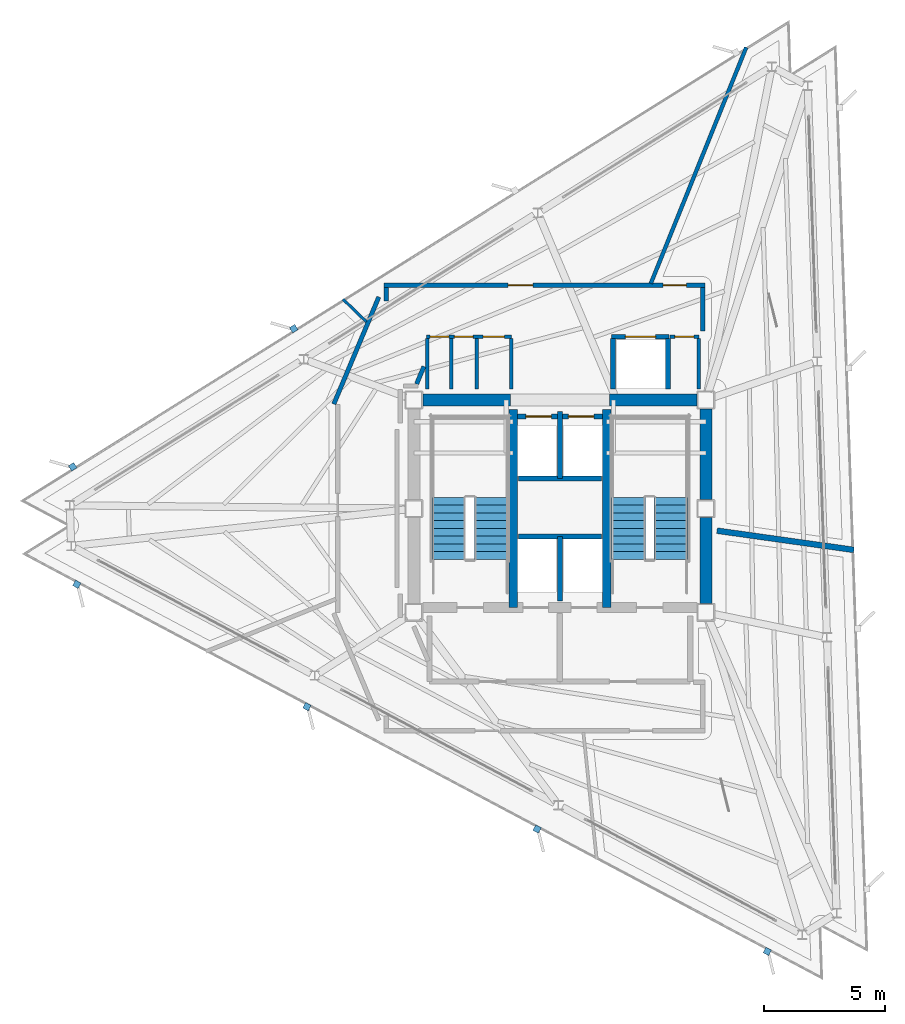
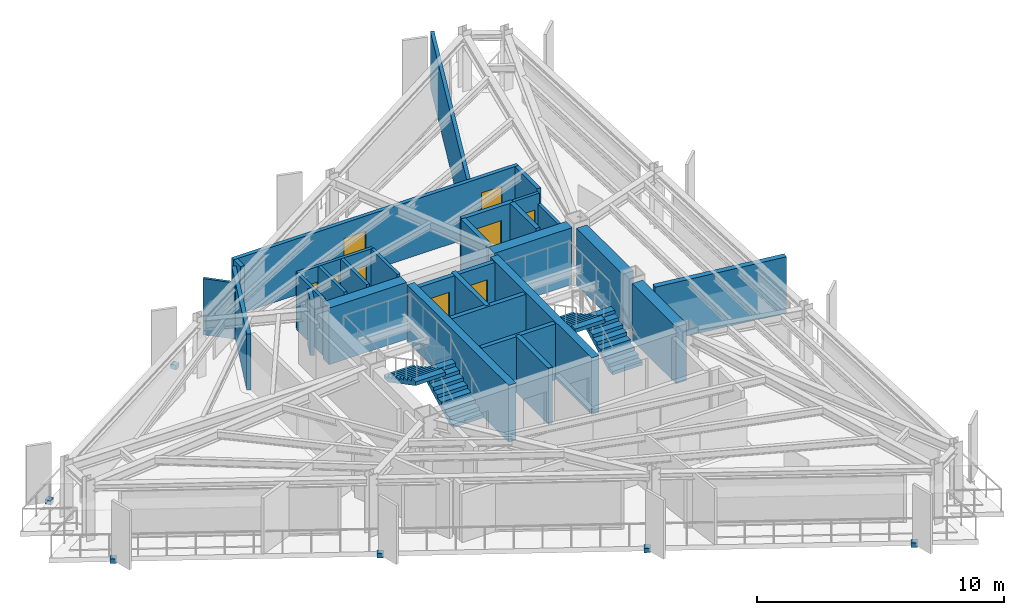
# One storey, part 9 of 13: 29 walls, 9 doors, 6 discrete accessories, 4 stair flights, 9 openings, 2 elements without a shape of their own.
"""IFC4 building model written with IfcOpenShell, lengths in metres."""

from ifc_helpers import new_model, si_unit, direction, frame, frame_2d, origin, origin_2d, place, context, subcontext, project, spatial, polyline, rectangle, outline, extrude, material, layer, layer_set, type_object, element, fill, aggregate, save


model = new_model("IFC4")

# Units and contexts
model_context = context("Model", 3, precision=1e-05, world=origin(), true_north=direction((0.0, 1.0)))
body_context = subcontext(model_context, "Body", "Model", "MODEL_VIEW")
ifc_project = project(units=[si_unit("LENGTHUNIT", "METRE"), si_unit("AREAUNIT", "SQUARE_METRE"), si_unit("VOLUMEUNIT", "CUBIC_METRE"), si_unit("PLANEANGLEUNIT", "RADIAN"), si_unit("MASSUNIT", "GRAM", prefix="KILO")], contexts=[model_context])

# Site, building, storey
site_placement = place(None, origin())
site = spatial("IfcSite", under=ifc_project, at=site_placement, CompositionType="ELEMENT")
building_placement = place(site_placement, origin())
building = spatial("IfcBuilding", under=site, at=building_placement, Name="Rocaltana Carrier Exchange", CompositionType="ELEMENT")
storey_placement = place(building_placement, frame((0.0, 0.0, 202.719970703125)))
storey = spatial("IfcBuildingStorey", under=building, at=storey_placement, Name="L64", CompositionType="ELEMENT", Elevation=202.719970703125)

# Walls
ifc_material_1 = material(Name="Double Acoustic Gypsum Partition", Category="gypsum")
ifc_layer_1 = layer(ifc_material_1, 0.159912109375)
ifc_layer_set_1 = layer_set([ifc_layer_1], Name="Double Acoustic Gypsum Partition")
wall_type_1 = type_object("IfcWallType", Name="Acoustic Studio Partition 160 EI60", PredefinedType="PARTITIONING", material=ifc_layer_set_1)
wall_1_placement = place(storey_placement, frame((3.76953125, 9.330078125, 0.0), z_axis=(0.0, 0.0, 1.0), x_axis=(0.374613070454, 0.927181237647, 0.0)))
element("IfcWall", 1, at=wall_1_placement, inside=storey, type_object=wall_type_1, Name="L64 Suite Divider Wall D4", PredefinedType="PARTITIONING", context=body_context, shape_type="SweptSolid", body=[
    extrude(rectangle(XDim=10.54736328125, YDim=0.159912109375, at=frame_2d((5.273681640625, 0.0))), origin(), (0.0, 0.0, 1.0), 2.77294921875),
])
ifc_material_2 = material(Name="Concrete C50/60", Category="concrete")
ifc_layer_2 = layer(ifc_material_2, 0.35009765625)
ifc_layer_set_2 = layer_set([ifc_layer_2], Name="Concrete C50/60")
wall_type_2 = type_object("IfcWallType", Name="Core Internal Shear Wall 350", PredefinedType="SHEAR", material=ifc_layer_set_2)
for number, where, z_axis, x_axis, name in (
    (2, (-1.93994140625, -4.10009765625, 0.0), (0.0, 0.0, 1.0), (0.0, 1.0, 0.0), "L64 Core Shear Wall CW-STW"),
    (3, (1.93994140625, -4.10009765625, 0.0), (0.0, 0.0, 1.0), (0.0, 1.0, 0.0), "L64 Core Shear Wall CW-STE"),
):
    element("IfcWall", number, at=place(storey_placement, frame(where, z_axis=z_axis, x_axis=x_axis)), inside=storey, type_object=wall_type_2, Name=name, PredefinedType="SHEAR", context=body_context, shape_type="SweptSolid", body=[
        extrude(rectangle(XDim=8.2001953125, YDim=0.35009765625, at=frame_2d((4.10009765625, 0.0))), origin(), (0.0, 0.0, 1.0), 2.798095703125),
    ])
ifc_material_3 = material(Name="Concrete C50/60", Category="concrete")
ifc_layer_3 = layer(ifc_material_3, 0.5)
ifc_layer_set_3 = layer_set([ifc_layer_3], Name="Concrete C50/60")
wall_type_3 = type_object("IfcWallType", Name="Core Shear Wall 500", PredefinedType="SHEAR", material=ifc_layer_set_3)
wall_2_placement = place(storey_placement, frame((6.050048828125, 0.375, 0.0), z_axis=(0.0, 0.0, 1.0), x_axis=(0.0, 1.0, 0.0)))
element("IfcWall", 4, at=wall_2_placement, inside=storey, type_object=wall_type_3, Name="L64 Core Shear Wall CW-EN", PredefinedType="SHEAR", context=body_context, shape_type="SweptSolid", body=[
    extrude(rectangle(XDim=3.75, YDim=0.5, at=frame_2d((1.875, 0.0))), origin(), (0.0, 0.0, 1.0), 2.798095703125),
])
wall_3_placement = place(storey_placement, frame((6.050048828125, -3.925048828125, 0.0), z_axis=(0.0, 0.0, 1.0), x_axis=(0.0, 1.0, 0.0)))
element("IfcWall", 5, at=wall_3_placement, inside=storey, type_object=wall_type_3, Name="L64 Core Shear Wall CW-ES", PredefinedType="SHEAR", context=body_context, shape_type="SweptSolid", body=[
    extrude(rectangle(XDim=3.550048828125, YDim=0.5, at=frame_2d((1.77490234375, 0.0))), origin(), (0.0, 0.0, 1.0), 2.798095703125),
])
for number, where, z_axis, x_axis, name in (
    (6, (-5.675048828125, 4.5, 0.0), (0.0, 0.0, 1.0), (1.0, 0.0, 0.0), "L64 Core Shear Wall CW-N1"),
    (7, (2.050048828125, 4.5, 0.0), (0.0, 0.0, 1.0), (1.0, 0.0, 0.0), "L64 Core Shear Wall CW-N2"),
):
    element("IfcWall", number, at=place(storey_placement, frame(where, z_axis=z_axis, x_axis=x_axis)), inside=storey, type_object=wall_type_3, Name=name, PredefinedType="SHEAR", context=body_context, shape_type="SweptSolid", body=[
        extrude(rectangle(XDim=3.625, YDim=0.5, at=frame_2d((1.8125, 0.0))), origin(), (0.0, 0.0, 1.0), 2.798095703125),
    ])
ifc_material_4 = material(Name="Gypsum & Steel Stud Partition", Category="steel")
ifc_layer_4 = layer(ifc_material_4, 0.179931640625)
ifc_layer_set_4 = layer_set([ifc_layer_4], Name="Gypsum & Steel Stud Partition")
wall_type_4 = type_object("IfcWallType", Name="Corridor Fire Partition 180 EI60", PredefinedType="PARTITIONING", material=ifc_layer_set_4)
wall_4_placement = place(storey_placement, frame((-9.36669921875, 4.331787109375, 0.0), z_axis=(0.0, 0.0, 1.0), x_axis=(0.387573945081, 0.921838617706, 0.0)))
element("IfcWall", 8, at=wall_4_placement, inside=storey, type_object=wall_type_4, Name="L64 Corridor Partition 3", PredefinedType="PARTITIONING", context=body_context, shape_type="SweptSolid", body=[
    extrude(rectangle(XDim=4.813232421875, YDim=0.179931640625, at=frame_2d((2.40673828125, 0.0))), origin(), (0.0, 0.0, 1.0), 2.77294921875),
])
wall_5_placement = place(storey_placement, frame((-7.199951171875, 8.6005859375, 0.0), z_axis=(0.0, 0.0, 1.0), x_axis=(0.0, 1.0, 0.0)))
element("IfcWall", 9, at=wall_5_placement, inside=storey, type_object=wall_type_4, Name="L64 Corridor Partition 4", PredefinedType="PARTITIONING", context=body_context, shape_type="SweptSolid", body=[
    extrude(rectangle(XDim=0.559326171875, YDim=0.179931640625, at=frame_2d((0.27978515625, 0.0))), origin(), (0.0, 0.0, 1.0), 2.77294921875),
])

# Wall, openings, doors
wall_6_placement = place(storey_placement, frame((-7.2900390625, 9.25, 0.0), z_axis=(0.0, 0.0, 1.0), x_axis=(1.0, 0.0, 0.0)))
wall_6 = element("IfcWall", 10, at=wall_6_placement, inside=storey, type_object=wall_type_4, Name="L64 Corridor Partition 5", PredefinedType="PARTITIONING", context=body_context, shape_type="SweptSolid", body=[
    extrude(rectangle(XDim=13.300048828125, YDim=0.179931640625, at=frame_2d((6.64990234375, 0.0))), origin(), (0.0, 0.0, 1.0), 2.77294921875),
])
opening_1_placement = place(wall_6_placement, frame((11.57275390625, 0.0, 0.0)))
opening_1 = element("IfcOpeningElement", 11, at=opening_1_placement, cuts=wall_6, Name="Opening D-RM098", PredefinedType="OPENING", context=body_context, shape_type="SweptSolid", body=[
    extrude(rectangle(XDim=0.9599609375, YDim=2.02001953125, at=frame_2d((0.47998046875, 1.010009765625))), frame((0.0, 0.099853515625, 0.0), z_axis=(0.0, -1.0, 0.0), x_axis=(1.0, 0.0, 0.0)), (0.0, 0.0, 1.0), 0.199951171875),
])
opening_2_placement = place(wall_6_placement, frame((5.149169921875, 0.0, 0.0)))
opening_2 = element("IfcOpeningElement", 12, at=opening_2_placement, cuts=wall_6, Name="Opening D-LB104", PredefinedType="OPENING", context=body_context, shape_type="SweptSolid", body=[
    extrude(rectangle(XDim=1.02001953125, YDim=2.02001953125, at=frame_2d((0.510009765625, 1.010009765625))), frame((0.0, 0.099853515625, 0.0), z_axis=(0.0, -1.0, 0.0), x_axis=(1.0, 0.0, 0.0)), (0.0, 0.0, 1.0), 0.199951171875),
])
ifc_material_5 = material(Name="Powder-Coated Aluminium 6063-T6", Category="aluminium")
door_type_1 = type_object("IfcDoorType", Name="Laboratory Acoustic Door 1020x2020", OperationType="NOTDEFINED", PredefinedType="DOOR", material=ifc_material_5)
door_1_placement = place(opening_2_placement, origin())
door_1 = element("IfcDoor", 13, at=door_1_placement, inside=storey, type_object=door_type_1, Name="L64 Optical Switching Laboratory Entrance Door", OperationType="SINGLE_SWING_RIGHT", OverallHeight=2.02001953125, OverallWidth=1.02001953125, PredefinedType="DOOR", context=body_context, shape_type="SweptSolid", body=[
    extrude(rectangle(XDim=1.02001953125, YDim=2.02001953125, at=frame_2d((0.510009765625, 1.010009765625))), frame((0.0, 0.02490234375, 0.0), z_axis=(0.0, -1.0, 0.0), x_axis=(1.0, 0.0, 0.0)), (0.0, 0.0, 1.0), 0.050048828125),
])
fill(opening_2, door_1)
ifc_material_6 = material(Name="Engineered Hardwood Timber", Category="wood")
door_type_2 = type_object("IfcDoorType", Name="Workspace Single Door 960x2020", OperationType="NOTDEFINED", PredefinedType="DOOR", material=ifc_material_6)
door_2_placement = place(opening_1_placement, origin())
door_2 = element("IfcDoor", 14, at=door_2_placement, inside=storey, type_object=door_type_2, Name="L64 Cloud Architecture Office Entrance Door", OperationType="SINGLE_SWING_LEFT", OverallHeight=2.02001953125, OverallWidth=0.9599609375, PredefinedType="DOOR", context=body_context, shape_type="SweptSolid", body=[
    extrude(rectangle(XDim=0.9599609375, YDim=2.02001953125, at=frame_2d((0.47998046875, 1.010009765625))), frame((0.0, 0.02490234375, 0.0), z_axis=(0.0, -1.0, 0.0), x_axis=(1.0, 0.0, 0.0)), (0.0, 0.0, 1.0), 0.050048828125),
])
fill(opening_1, door_2)

# Walls
wall_7_placement = place(storey_placement, frame((5.919921875, 9.159912109375, 0.0), z_axis=(0.0, 0.0, 1.0), x_axis=(0.0, -1.0, 0.0)))
element("IfcWall", 15, at=wall_7_placement, inside=storey, type_object=wall_type_4, Name="L64 Corridor Partition 6", PredefinedType="PARTITIONING", context=body_context, shape_type="SweptSolid", body=[
    extrude(rectangle(XDim=1.7998046875, YDim=0.179931640625, at=frame_2d((0.89990234375, 0.0))), origin(), (0.0, 0.0, 1.0), 2.77294921875),
])
wall_8_placement = place(storey_placement, frame((-5.632080078125, 5.88671875, 0.0), z_axis=(0.0, 0.0, 1.0), x_axis=(-0.387792833522, -0.921746558588, 0.0)))
element("IfcWall", 16, at=wall_8_placement, inside=storey, type_object=wall_type_4, Name="L64 Corridor Partition 8", PredefinedType="PARTITIONING", context=body_context, shape_type="SweptSolid", body=[
    extrude(rectangle(XDim=0.78515625, YDim=0.179931640625, at=frame_2d((0.392578125, 0.0))), origin(), (0.0, 0.0, 1.0), 2.77294921875),
])
ifc_material_7 = material(Name="Aluminium 6063-T6 & Acoustic Glass", Category="aluminium")
ifc_layer_5 = layer(ifc_material_7, 0.114990234375)
ifc_layer_set_5 = layer_set([ifc_layer_5], Name="Aluminium 6063-T6 & Acoustic Glass")
wall_type_5 = type_object("IfcWallType", Name="Demountable Glazed Lab Partition 115", PredefinedType="MOVABLE", material=ifc_layer_set_5)
wall_9_placement = place(storey_placement, frame((-8.01904296875, 7.743896484375, 0.0), z_axis=(0.0, 0.0, 1.0), x_axis=(-0.719319685721, 0.694679199151, 0.0)))
element("IfcWall", 17, at=wall_9_placement, inside=storey, type_object=wall_type_5, Name="L64 Suite Divider Wall D5", PredefinedType="MOVABLE", context=body_context, shape_type="SweptSolid", body=[
    extrude(rectangle(XDim=1.337646484375, YDim=0.114990234375, at=frame_2d((0.6689453125, 0.0))), origin(), (0.0, 0.0, 1.0), 2.77294921875),
])
ifc_material_8 = material(Name="Acoustic Calcium Silicate Partition", Category="gypsum")
ifc_layer_6 = layer(ifc_material_8, 0.239990234375)
ifc_layer_set_6 = layer_set([ifc_layer_6], Name="Acoustic Calcium Silicate Partition")
wall_type_6 = type_object("IfcWallType", Name="Heavy Lab Partition 240 EI90", PredefinedType="PARTITIONING", material=ifc_layer_set_6)
wall_10_placement = place(storey_placement, frame((6.510009765625, -0.914794921875, 0.0), z_axis=(0.0, 0.0, 1.0), x_axis=(0.990267505523, -0.139177108413, 0.0)))
element("IfcWall", 18, at=wall_10_placement, inside=storey, type_object=wall_type_6, Name="L64 Suite Divider Wall D3", PredefinedType="PARTITIONING", context=body_context, shape_type="SweptSolid", body=[
    extrude(rectangle(XDim=5.727294921875, YDim=0.239990234375, at=frame_2d((2.86376953125, 0.0))), origin(), (0.0, 0.0, 1.0), 2.77294921875),
])
ifc_material_9 = material(Name="Reinforced Concrete Block C35/45", Category="concrete")
ifc_layer_7 = layer(ifc_material_9, 0.199951171875)
ifc_layer_set_7 = layer_set([ifc_layer_7], Name="Reinforced Concrete Block C35/45")
wall_type_7 = type_object("IfcWallType", Name="Lift Hoistway Enclosure Wall 200 EI120", PredefinedType="PARTITIONING", material=ifc_layer_set_7)
wall_11_placement = place(storey_placement, frame((0.0, -3.820068359375, 0.0), z_axis=(0.0, 0.0, 1.0), x_axis=(0.0, 1.0, 0.0)))
element("IfcWall", 19, at=wall_11_placement, inside=storey, type_object=wall_type_7, Name="L64 FFL Shaft Divider", PredefinedType="PARTITIONING", context=body_context, shape_type="SweptSolid", body=[
    extrude(rectangle(XDim=2.670166015625, YDim=0.199951171875, at=frame_2d((1.3349609375, 0.0))), origin(), (0.0, 0.0, 1.0), 2.77294921875),
])
wall_12_placement = place(storey_placement, frame((-1.719970703125, -1.14990234375, 0.0), z_axis=(0.0, 0.0, 1.0), x_axis=(1.0, 0.0, 0.0)))
element("IfcWall", 20, at=wall_12_placement, inside=storey, type_object=wall_type_7, Name="L64 FFL Shaft Back Wall", PredefinedType="PARTITIONING", context=body_context, shape_type="SweptSolid", body=[
    extrude(rectangle(XDim=3.43994140625, YDim=0.199951171875, at=frame_2d((1.719970703125, 0.0))), origin(), (0.0, 0.0, 1.0), 2.77294921875),
])
wall_13_placement = place(storey_placement, frame((0.0, 1.25, 0.0), z_axis=(0.0, 0.0, 1.0), x_axis=(0.0, 1.0, 0.0)))
element("IfcWall", 21, at=wall_13_placement, inside=storey, type_object=wall_type_7, Name="L64 High-Rise Shaft Divider", PredefinedType="PARTITIONING", context=body_context, shape_type="SweptSolid", body=[
    extrude(rectangle(XDim=2.77001953125, YDim=0.199951171875, at=frame_2d((1.385009765625, 0.0))), origin(), (0.0, 0.0, 1.0), 2.77294921875),
])
wall_14_placement = place(storey_placement, frame((-1.719970703125, 1.25, 0.0), z_axis=(0.0, 0.0, 1.0), x_axis=(1.0, 0.0, 0.0)))
element("IfcWall", 22, at=wall_14_placement, inside=storey, type_object=wall_type_7, Name="L64 High-Rise Shaft Back Wall", PredefinedType="PARTITIONING", context=body_context, shape_type="SweptSolid", body=[
    extrude(rectangle(XDim=3.43994140625, YDim=0.199951171875, at=frame_2d((1.719970703125, 0.0))), origin(), (0.0, 0.0, 1.0), 2.77294921875),
])

# Wall, openings, doors
wall_15_placement = place(storey_placement, frame((-1.760009765625, 3.820068359375, 0.0), z_axis=(0.0, 0.0, 1.0), x_axis=(1.0, 0.0, 0.0)))
wall_15 = element("IfcWall", 23, at=wall_15_placement, inside=storey, type_object=wall_type_7, Name="L64 High-Rise Lift Front Wall", PredefinedType="PARTITIONING", context=body_context, shape_type="SweptSolid", body=[
    extrude(rectangle(XDim=3.52001953125, YDim=0.199951171875, at=frame_2d((1.760009765625, 0.0))), origin(), (0.0, 0.0, 1.0), 2.77294921875),
])
opening_3_placement = place(wall_15_placement, frame((0.35009765625, 0.0, 0.0)))
opening_3 = element("IfcOpeningElement", 24, at=opening_3_placement, cuts=wall_15, Name="Opening LD-110", PredefinedType="OPENING", context=body_context, shape_type="SweptSolid", body=[
    extrude(rectangle(XDim=1.06005859375, YDim=2.0400390625, at=frame_2d((0.530029296875, 1.02001953125))), frame((0.0, 0.10986328125, 0.0), z_axis=(0.0, -1.0, 0.0), x_axis=(1.0, 0.0, 0.0)), (0.0, 0.0, 1.0), 0.219970703125),
])
opening_4_placement = place(wall_15_placement, frame((2.110107421875, 0.0, 0.0)))
opening_4 = element("IfcOpeningElement", 25, at=opening_4_placement, cuts=wall_15, Name="Opening LD-110", PredefinedType="OPENING", context=body_context, shape_type="SweptSolid", body=[
    extrude(rectangle(XDim=1.06005859375, YDim=2.0400390625, at=frame_2d((0.530029296875, 1.02001953125))), frame((0.0, 0.10986328125, 0.0), z_axis=(0.0, -1.0, 0.0), x_axis=(1.0, 0.0, 0.0)), (0.0, 0.0, 1.0), 0.219970703125),
])
ifc_material_10 = material(Name="Brushed Stainless Sliding Door Leaf", Category="steel")
door_type_3 = type_object("IfcDoorType", Name="Lift Landing Sliding Door 1060x2040", OperationType="NOTDEFINED", PredefinedType="DOOR", material=ifc_material_10)
door_3_placement = place(opening_3_placement, origin())
door_3 = element("IfcDoor", 26, at=door_3_placement, inside=storey, type_object=door_type_3, Name="L64 High-Rise Lift PLH1 Landing Door", OperationType="SLIDING_TO_LEFT", OverallHeight=2.0400390625, OverallWidth=1.06005859375, PredefinedType="DOOR", context=body_context, shape_type="SweptSolid", body=[
    extrude(rectangle(XDim=1.06005859375, YDim=2.0400390625, at=frame_2d((0.530029296875, 1.02001953125))), frame((0.0, 0.02490234375, 0.0), z_axis=(0.0, -1.0, 0.0), x_axis=(1.0, 0.0, 0.0)), (0.0, 0.0, 1.0), 0.050048828125),
])
fill(opening_3, door_3)
door_4_placement = place(opening_4_placement, origin())
door_4 = element("IfcDoor", 27, at=door_4_placement, inside=storey, type_object=door_type_3, Name="L64 High-Rise Lift PLH2 Landing Door", OperationType="SLIDING_TO_RIGHT", OverallHeight=2.0400390625, OverallWidth=1.06005859375, PredefinedType="DOOR", context=body_context, shape_type="SweptSolid", body=[
    extrude(rectangle(XDim=1.06005859375, YDim=2.0400390625, at=frame_2d((0.530029296875, 1.02001953125))), frame((0.0, 0.02490234375, 0.0), z_axis=(0.0, -1.0, 0.0), x_axis=(1.0, 0.0, 0.0)), (0.0, 0.0, 1.0), 0.050048828125),
])
fill(opening_4, door_4)

# Walls
for number, where, z_axis, x_axis, name in (
    (28, (2.199951171875, 4.949951171875, 0.0), (0.0, 0.0, 1.0), (0.0, 1.0, 0.0), "L64 Goods Lift West Wall"),
    (29, (4.47998046875, 4.949951171875, 0.0), (0.0, 0.0, 1.0), (0.0, 1.0, 0.0), "L64 Goods Lift East Wall"),
):
    element("IfcWall", number, at=place(storey_placement, frame(where, z_axis=z_axis, x_axis=x_axis)), inside=storey, type_object=wall_type_7, Name=name, PredefinedType="PARTITIONING", context=body_context, shape_type="SweptSolid", body=[
        extrude(rectangle(XDim=2.10009765625, YDim=0.199951171875, at=frame_2d((1.050048828125, 0.0))), origin(), (0.0, 0.0, 1.0), 2.77294921875),
    ])

# Wall, opening, door
wall_16_placement = place(storey_placement, frame((2.14990234375, 7.1201171875, 0.0), z_axis=(0.0, 0.0, 1.0), x_axis=(1.0, 0.0, 0.0)))
wall_16 = element("IfcWall", 30, at=wall_16_placement, inside=storey, type_object=wall_type_7, Name="L64 Goods Lift Front Wall", PredefinedType="PARTITIONING", context=body_context, shape_type="SweptSolid", body=[
    extrude(rectangle(XDim=2.380126953125, YDim=0.199951171875, at=frame_2d((1.18994140625, 0.0))), origin(), (0.0, 0.0, 1.0), 2.77294921875),
])
opening_5_placement = place(wall_16_placement, frame((0.56005859375, 0.0, 0.0)))
opening_5 = element("IfcOpeningElement", 31, at=opening_5_placement, cuts=wall_16, Name="Opening LD-130", PredefinedType="OPENING", context=body_context, shape_type="SweptSolid", body=[
    extrude(rectangle(XDim=1.260009765625, YDim=2.06005859375, at=frame_2d((0.6298828125, 1.030029296875))), frame((0.0, 0.10986328125, 0.0), z_axis=(0.0, -1.0, 0.0), x_axis=(1.0, 0.0, 0.0)), (0.0, 0.0, 1.0), 0.219970703125),
])
ifc_material_11 = material(Name="Brushed Stainless Sliding Door Leaf", Category="steel")
door_type_4 = type_object("IfcDoorType", Name="Goods Lift Landing Sliding Door 1260x2060", OperationType="NOTDEFINED", PredefinedType="DOOR", material=ifc_material_11)
door_5_placement = place(opening_5_placement, origin())
door_5 = element("IfcDoor", 32, at=door_5_placement, inside=storey, type_object=door_type_4, Name="L64 Goods Lift GL-1 Landing Door", OperationType="SLIDING_TO_LEFT", OverallHeight=2.06005859375, OverallWidth=1.260009765625, PredefinedType="DOOR", context=body_context, shape_type="SweptSolid", body=[
    extrude(rectangle(XDim=1.260009765625, YDim=2.06005859375, at=frame_2d((0.6298828125, 1.030029296875))), frame((0.0, 0.02490234375, 0.0), z_axis=(0.0, -1.0, 0.0), x_axis=(1.0, 0.0, 0.0)), (0.0, 0.0, 1.0), 0.050048828125),
])
fill(opening_5, door_5)

# Walls
ifc_material_12 = material(Name="Moisture-Resistant Masonry C30/37", Category="masonry")
ifc_layer_8 = layer(ifc_material_12, 0.139892578125)
ifc_layer_set_8 = layer_set([ifc_layer_8], Name="Moisture-Resistant Masonry C30/37")
wall_type_8 = type_object("IfcWallType", Name="Wet-Area Sanitary Partition 140", PredefinedType="PARTITIONING", material=ifc_layer_set_8)
for number, where, z_axis, x_axis, name in (
    (33, (-5.5, 4.949951171875, 0.0), (0.0, 0.0, 1.0), (0.0, 1.0, 0.0), "L64 Sanitary West Wall"),
    (34, (-4.5, 4.949951171875, 0.0), (0.0, 0.0, 1.0), (0.0, 1.0, 0.0), "L64 Sanitary Divider 1"),
    (35, (-3.449951171875, 4.949951171875, 0.0), (0.0, 0.0, 1.0), (0.0, 1.0, 0.0), "L64 Sanitary Divider 2"),
    (36, (-2.02001953125, 4.949951171875, 0.0), (0.0, 0.0, 1.0), (0.0, 1.0, 0.0), "L64 Sanitary East Wall"),
):
    element("IfcWall", number, at=place(storey_placement, frame(where, z_axis=z_axis, x_axis=x_axis)), inside=storey, type_object=wall_type_8, Name=name, PredefinedType="PARTITIONING", context=body_context, shape_type="SweptSolid", body=[
        extrude(rectangle(XDim=2.10009765625, YDim=0.139892578125, at=frame_2d((1.050048828125, 0.0))), origin(), (0.0, 0.0, 1.0), 2.77294921875),
    ])

# Wall, openings, doors
wall_17_placement = place(storey_placement, frame((-5.52001953125, 7.1201171875, 0.0), z_axis=(0.0, 0.0, 1.0), x_axis=(1.0, 0.0, 0.0)))
wall_17 = element("IfcWall", 37, at=wall_17_placement, inside=storey, type_object=wall_type_8, Name="L64 Sanitary North Wall", PredefinedType="PARTITIONING", context=body_context, shape_type="SweptSolid", body=[
    extrude(rectangle(XDim=3.52001953125, YDim=0.139892578125, at=frame_2d((1.760009765625, 0.0))), origin(), (0.0, 0.0, 1.0), 2.77294921875),
])
opening_6_placement = place(wall_17_placement, frame((0.139892578125, 0.0, 0.0)))
opening_6 = element("IfcOpeningElement", 38, at=opening_6_placement, cuts=wall_17, Name="Opening D-RS082", PredefinedType="OPENING", context=body_context, shape_type="SweptSolid", body=[
    extrude(rectangle(XDim=0.780029296875, YDim=2.010009765625, at=frame_2d((0.39013671875, 1.0048828125))), frame((0.0, 0.079833984375, 0.0), z_axis=(0.0, -1.0, 0.0), x_axis=(1.0, 0.0, 0.0)), (0.0, 0.0, 1.0), 0.159912109375),
])
opening_7_placement = place(wall_17_placement, frame((1.14990234375, 0.0, 0.0)))
opening_7 = element("IfcOpeningElement", 39, at=opening_7_placement, cuts=wall_17, Name="Opening D-RS082", PredefinedType="OPENING", context=body_context, shape_type="SweptSolid", body=[
    extrude(rectangle(XDim=0.780029296875, YDim=2.010009765625, at=frame_2d((0.39013671875, 1.0048828125))), frame((0.0, 0.079833984375, 0.0), z_axis=(0.0, -1.0, 0.0), x_axis=(1.0, 0.0, 0.0)), (0.0, 0.0, 1.0), 0.159912109375),
])
opening_8_placement = place(wall_17_placement, frame((2.340087890625, 0.0, 0.0)))
opening_8 = element("IfcOpeningElement", 40, at=opening_8_placement, cuts=wall_17, Name="Opening D-WC090", PredefinedType="OPENING", context=body_context, shape_type="SweptSolid", body=[
    extrude(rectangle(XDim=0.8798828125, YDim=2.02001953125, at=frame_2d((0.43994140625, 1.010009765625))), frame((0.0, 0.079833984375, 0.0), z_axis=(0.0, -1.0, 0.0), x_axis=(1.0, 0.0, 0.0)), (0.0, 0.0, 1.0), 0.159912109375),
])
ifc_material_13 = material(Name="High-Pressure Laminate Timber", Category="wood")
door_type_5 = type_object("IfcDoorType", Name="Restroom & Accessible WC Door 880x2020", OperationType="NOTDEFINED", PredefinedType="DOOR", material=ifc_material_13)
door_6_placement = place(opening_8_placement, origin())
door_6 = element("IfcDoor", 41, at=door_6_placement, inside=storey, type_object=door_type_5, Name="L64 Accessible Toilet Door", OperationType="SINGLE_SWING_LEFT", OverallHeight=2.02001953125, OverallWidth=0.8798828125, PredefinedType="DOOR", context=body_context, shape_type="SweptSolid", body=[
    extrude(rectangle(XDim=0.8798828125, YDim=2.02001953125, at=frame_2d((0.43994140625, 1.010009765625))), frame((0.0, 0.02490234375, 0.0), z_axis=(0.0, -1.0, 0.0), x_axis=(1.0, 0.0, 0.0)), (0.0, 0.0, 1.0), 0.050048828125),
])
fill(opening_8, door_6)
ifc_material_14 = material(Name="Hollow Metal Access Door Leaf", Category="steel")
door_type_6 = type_object("IfcDoorType", Name="Riser & Service Closet Door 780x2010", OperationType="NOTDEFINED", PredefinedType="DOOR", material=ifc_material_14)
door_7_placement = place(opening_6_placement, origin())
door_7 = element("IfcDoor", 42, at=door_7_placement, inside=storey, type_object=door_type_6, Name="L64 Cleaner Store Door", OperationType="SINGLE_SWING_LEFT", OverallHeight=2.010009765625, OverallWidth=0.780029296875, PredefinedType="DOOR", context=body_context, shape_type="SweptSolid", body=[
    extrude(rectangle(XDim=0.780029296875, YDim=2.010009765625, at=frame_2d((0.39013671875, 1.0048828125))), frame((0.0, 0.02490234375, 0.0), z_axis=(0.0, -1.0, 0.0), x_axis=(1.0, 0.0, 0.0)), (0.0, 0.0, 1.0), 0.050048828125),
])
fill(opening_6, door_7)
door_8_placement = place(opening_7_placement, origin())
door_8 = element("IfcDoor", 43, at=door_8_placement, inside=storey, type_object=door_type_6, Name="L64 Staff Restroom Door", OperationType="SINGLE_SWING_RIGHT", OverallHeight=2.010009765625, OverallWidth=0.780029296875, PredefinedType="DOOR", context=body_context, shape_type="SweptSolid", body=[
    extrude(rectangle(XDim=0.780029296875, YDim=2.010009765625, at=frame_2d((0.39013671875, 1.0048828125))), frame((0.0, 0.02490234375, 0.0), z_axis=(0.0, -1.0, 0.0), x_axis=(1.0, 0.0, 0.0)), (0.0, 0.0, 1.0), 0.050048828125),
])
fill(opening_7, door_8)

# Wall
wall_18_placement = place(storey_placement, frame((5.760009765625, 4.949951171875, 0.0), z_axis=(0.0, 0.0, 1.0), x_axis=(0.0, 1.0, 0.0)))
element("IfcWall", 44, at=wall_18_placement, inside=storey, type_object=wall_type_8, Name="L64 Riser East Wall", PredefinedType="PARTITIONING", context=body_context, shape_type="SweptSolid", body=[
    extrude(rectangle(XDim=2.10009765625, YDim=0.139892578125, at=frame_2d((1.050048828125, 0.0))), origin(), (0.0, 0.0, 1.0), 2.2529296875),
])

# Wall, opening, door
wall_19_placement = place(storey_placement, frame((4.56005859375, 7.1201171875, 0.0), z_axis=(0.0, 0.0, 1.0), x_axis=(1.0, 0.0, 0.0)))
wall_19 = element("IfcWall", 45, at=wall_19_placement, inside=storey, type_object=wall_type_8, Name="L64 Riser North Wall", PredefinedType="PARTITIONING", context=body_context, shape_type="SweptSolid", body=[
    extrude(rectangle(XDim=1.199951171875, YDim=0.139892578125, at=frame_2d((0.60009765625, 0.0))), origin(), (0.0, 0.0, 1.0), 2.77294921875),
])
opening_9_placement = place(wall_19_placement, frame((0.2099609375, 0.0, 0.0)))
opening_9 = element("IfcOpeningElement", 46, at=opening_9_placement, cuts=wall_19, Name="Opening D-RS082", PredefinedType="OPENING", context=body_context, shape_type="SweptSolid", body=[
    extrude(rectangle(XDim=0.780029296875, YDim=2.010009765625, at=frame_2d((0.39013671875, 1.0048828125))), frame((0.0, 0.079833984375, 0.0), z_axis=(0.0, -1.0, 0.0), x_axis=(1.0, 0.0, 0.0)), (0.0, 0.0, 1.0), 0.159912109375),
])
door_9_placement = place(opening_9_placement, origin())
door_9 = element("IfcDoor", 47, at=door_9_placement, inside=storey, type_object=door_type_6, Name="L64 Signal Riser Closet Door", OperationType="SINGLE_SWING_RIGHT", OverallHeight=2.010009765625, OverallWidth=0.780029296875, PredefinedType="DOOR", context=body_context, shape_type="SweptSolid", body=[
    extrude(rectangle(XDim=0.780029296875, YDim=2.010009765625, at=frame_2d((0.39013671875, 1.0048828125))), frame((0.0, 0.02490234375, 0.0), z_axis=(0.0, -1.0, 0.0), x_axis=(1.0, 0.0, 0.0)), (0.0, 0.0, 1.0), 0.050048828125),
])
fill(opening_9, door_9)

# Stair, stair flights
ifc_material_15 = material(Name="Precast concrete C45/55", Category="concrete")
stair_type = type_object("IfcStairType", Name="Standard Dog-Leg Stair 160", PredefinedType="HALF_TURN_STAIR", material=ifc_material_15)
stair_1_placement = place(storey_placement, origin())
stair_1 = element("IfcStair", 48, at=stair_1_placement, inside=storey, type_object=stair_type, Name="L64 Core West Exit Stair ST-1", PredefinedType="HALF_TURN_STAIR")
ifc_material_16 = material(Name="Precast concrete C45/55", Category="concrete")
stair_flight_type = type_object("IfcStairFlightType", Name="Precast Stair Flight 160", PredefinedType="STRAIGHT", material=ifc_material_16)
stair_flight_1_placement = place(storey_placement, frame((-2.840087890625, -2.10009765625, 0.0), z_axis=(0.0, 0.0, 1.0), x_axis=(0.0, 1.0, 0.0)))
stair_flight_1 = element("IfcStairFlight", 49, at=stair_flight_1_placement, type_object=stair_flight_type, Name="ST-1 flight 1", NumberOfRisers=9, NumberOfTreads=8, PredefinedType="STRAIGHT", RiserHeight=0.168888889, TreadLength=0.32, context=body_context, shape_type="SweptSolid", body=[
    extrude(outline(polyline([(0.0, 0.0), (0.0, 0.1689453125), (0.320068359375, 0.1689453125), (0.320068359375, 0.337890625), (0.639892578125, 0.337890625), (0.639892578125, 0.506591796875), (0.9599609375, 0.506591796875), (0.9599609375, 0.675537109375), (1.280029296875, 0.675537109375), (1.280029296875, 0.844482421875), (1.60009765625, 0.844482421875), (1.60009765625, 1.013427734375), (1.919921875, 1.013427734375), (1.919921875, 1.18212890625), (2.239990234375, 1.18212890625), (2.239990234375, 1.35107421875), (2.56005859375, 1.35107421875), (2.56005859375, 1.52001953125), (2.56005859375, 1.17041015625), (0.342529296875, 0.0), (0.0, 0.0)])), frame((0.0, 0.699951171875, 0.0), z_axis=(0.0, -1.0, 0.0), x_axis=(1.0, 0.0, 0.0)), (0.0, 0.0, 1.0), 1.39990234375),
])
stair_flight_2_placement = place(storey_placement, frame((-4.60009765625, 0.4599609375, 1.52001953125), z_axis=(0.0, 0.0, 1.0), x_axis=(0.0, -1.0, 0.0)))
stair_flight_2 = element("IfcStairFlight", 50, at=stair_flight_2_placement, type_object=stair_flight_type, Name="ST-1 flight 2", NumberOfRisers=9, NumberOfTreads=8, PredefinedType="STRAIGHT", RiserHeight=0.168888889, TreadLength=0.32, context=body_context, shape_type="SweptSolid", body=[
    extrude(outline(polyline([(0.0, 0.0), (0.0, 0.1689453125), (0.320068359375, 0.1689453125), (0.320068359375, 0.337890625), (0.639892578125, 0.337890625), (0.639892578125, 0.506591796875), (0.9599609375, 0.506591796875), (0.9599609375, 0.675537109375), (1.280029296875, 0.675537109375), (1.280029296875, 0.844482421875), (1.60009765625, 0.844482421875), (1.60009765625, 1.013427734375), (1.919921875, 1.013427734375), (1.919921875, 1.18212890625), (2.239990234375, 1.18212890625), (2.239990234375, 1.35107421875), (2.56005859375, 1.35107421875), (2.56005859375, 1.52001953125), (2.56005859375, 1.17041015625), (0.342529296875, 0.0), (0.0, 0.0)])), frame((0.0, 0.699951171875, 0.0), z_axis=(0.0, -1.0, 0.0), x_axis=(1.0, 0.0, 0.0)), (0.0, 0.0, 1.0), 1.39990234375),
])
aggregate(stair_1, [stair_flight_1, stair_flight_2])

stair_2_placement = place(storey_placement, origin())
stair_2 = element("IfcStair", 51, at=stair_2_placement, inside=storey, type_object=stair_type, Name="L64 Core East Exit Stair ST-2", PredefinedType="HALF_TURN_STAIR")
stair_flight_3_placement = place(storey_placement, frame((4.60009765625, -2.10009765625, 0.0), z_axis=(0.0, 0.0, 1.0), x_axis=(0.0, 1.0, 0.0)))
stair_flight_3 = element("IfcStairFlight", 52, at=stair_flight_3_placement, type_object=stair_flight_type, Name="ST-2 flight 1", NumberOfRisers=9, NumberOfTreads=8, PredefinedType="STRAIGHT", RiserHeight=0.168888889, TreadLength=0.32, context=body_context, shape_type="SweptSolid", body=[
    extrude(outline(polyline([(0.0, 0.0), (0.0, 0.1689453125), (0.320068359375, 0.1689453125), (0.320068359375, 0.337890625), (0.639892578125, 0.337890625), (0.639892578125, 0.506591796875), (0.9599609375, 0.506591796875), (0.9599609375, 0.675537109375), (1.280029296875, 0.675537109375), (1.280029296875, 0.844482421875), (1.60009765625, 0.844482421875), (1.60009765625, 1.013427734375), (1.919921875, 1.013427734375), (1.919921875, 1.18212890625), (2.239990234375, 1.18212890625), (2.239990234375, 1.35107421875), (2.56005859375, 1.35107421875), (2.56005859375, 1.52001953125), (2.56005859375, 1.17041015625), (0.342529296875, 0.0), (0.0, 0.0)])), frame((0.0, 0.699951171875, 0.0), z_axis=(0.0, -1.0, 0.0), x_axis=(1.0, 0.0, 0.0)), (0.0, 0.0, 1.0), 1.39990234375),
])
stair_flight_4_placement = place(storey_placement, frame((2.840087890625, 0.4599609375, 1.52001953125), z_axis=(0.0, 0.0, 1.0), x_axis=(0.0, -1.0, 0.0)))
stair_flight_4 = element("IfcStairFlight", 53, at=stair_flight_4_placement, type_object=stair_flight_type, Name="ST-2 flight 2", NumberOfRisers=9, NumberOfTreads=8, PredefinedType="STRAIGHT", RiserHeight=0.168888889, TreadLength=0.32, context=body_context, shape_type="SweptSolid", body=[
    extrude(outline(polyline([(0.0, 0.0), (0.0, 0.1689453125), (0.320068359375, 0.1689453125), (0.320068359375, 0.337890625), (0.639892578125, 0.337890625), (0.639892578125, 0.506591796875), (0.9599609375, 0.506591796875), (0.9599609375, 0.675537109375), (1.280029296875, 0.675537109375), (1.280029296875, 0.844482421875), (1.60009765625, 0.844482421875), (1.60009765625, 1.013427734375), (1.919921875, 1.013427734375), (1.919921875, 1.18212890625), (2.239990234375, 1.18212890625), (2.239990234375, 1.35107421875), (2.56005859375, 1.35107421875), (2.56005859375, 1.52001953125), (2.56005859375, 1.17041015625), (0.342529296875, 0.0), (0.0, 0.0)])), frame((0.0, 0.699951171875, 0.0), z_axis=(0.0, -1.0, 0.0), x_axis=(1.0, 0.0, 0.0)), (0.0, 0.0, 1.0), 1.39990234375),
])
aggregate(stair_2, [stair_flight_3, stair_flight_4])

# Discrete accessories
ifc_material_17 = material(Name="Brushed Architectural Stainless Metal", Category="steel")
ifc_layer_9 = layer(ifc_material_17, 0.219970703125)
ifc_layer_set_9 = layer_set([ifc_layer_9], Name="Brushed Architectural Stainless Metal")
discrete_accessory_type = type_object("IfcDiscreteAccessoryType", Name="Stainless Fin Slab-Edge Bracket 260x260x220", PredefinedType="BRACKET", material=ifc_layer_set_9)
for number, where, z_axis, x_axis, name in (
    (54, (-11.025634765625, 7.454345703125, -0.2099609375), (0.0, 0.0, 1.0), (-0.848048096156, -0.529919264233, 0.0), "L64 Sandstone Fin Edge Bracket F2-03"),
    (55, (-20.1845703125, 1.731201171875, -0.2099609375), (0.0, 0.0, 1.0), (-0.848048096156, -0.529919264233, 0.0), "L64 Sandstone Fin Edge Bracket F2-04"),
    (56, (-20.0146484375, -3.135009765625, -0.2099609375), (0.0, 0.0, 1.0), (0.882947592859, -0.469471562786, 0.0), "L64 Sandstone Fin Edge Bracket F3-01"),
    (57, (-10.478759765625, -8.205322265625, -0.2099609375), (0.0, 0.0, 1.0), (0.882947592859, -0.469471562786, 0.0), "L64 Sandstone Fin Edge Bracket F3-02"),
    (58, (-0.94287109375, -13.275634765625, -0.2099609375), (0.0, 0.0, 1.0), (0.882947592859, -0.469471562786, 0.0), "L64 Sandstone Fin Edge Bracket F3-03"),
    (59, (8.593017578125, -18.345947265625, -0.2099609375), (0.0, 0.0, 1.0), (0.882947592859, -0.469471562786, 0.0), "L64 Sandstone Fin Edge Bracket F3-04"),
):
    element("IfcDiscreteAccessory", number, at=place(storey_placement, frame(where, z_axis=z_axis, x_axis=x_axis)), inside=storey, type_object=discrete_accessory_type, Name=name, PredefinedType="BRACKET", context=body_context, shape_type="SweptSolid", body=[
        extrude(rectangle(XDim=0.260009765625, YDim=0.260009765625, at=origin_2d()), origin(), (0.0, 0.0, 1.0), 0.219970703125),
    ])

save(model, "model.ifc")
